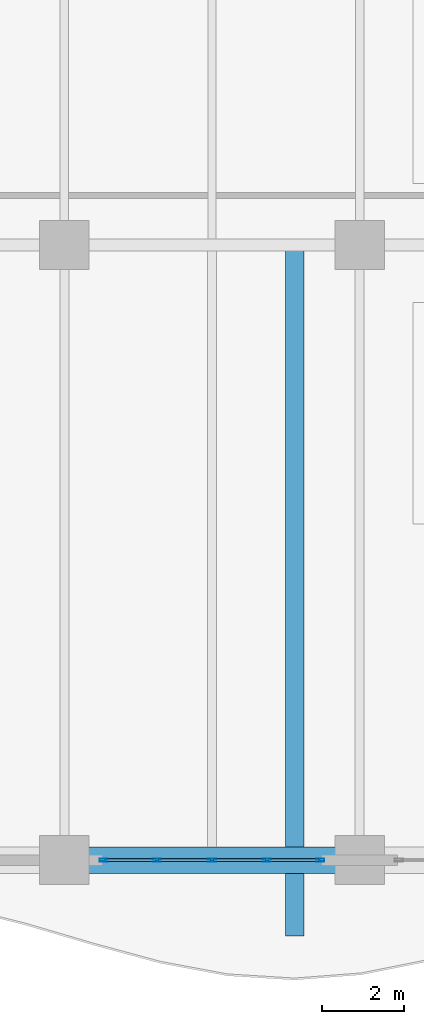
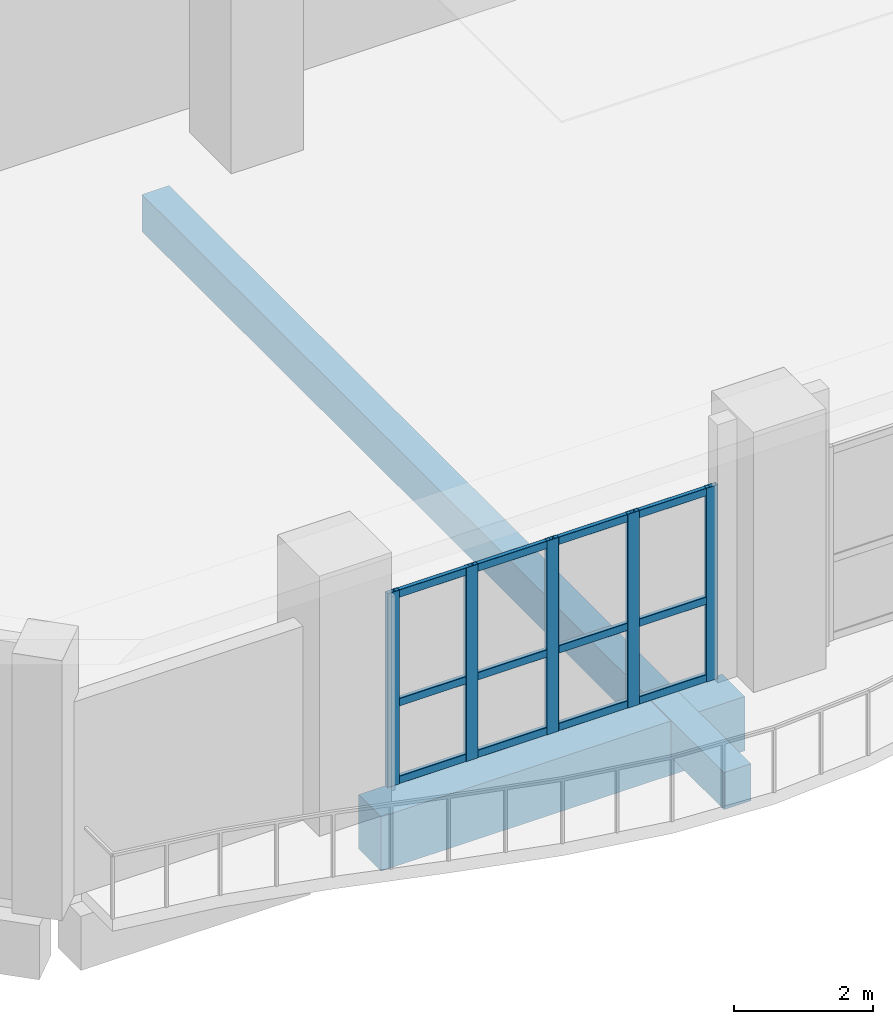
# One storey, part 2 of 37: 17 members, 2 beams, 1 element without a shape of its own.
"""IFC4 building model written with IfcOpenShell, lengths in metres."""

from ifc_helpers import new_model, si_unit, direction, frame, origin, origin_2d, place, context, subcontext, project, spatial, rectangle, hollow_rectangle, extrude, material, layer, layer_set, material_profile, profile_set, type_object, element, aggregate, save


model = new_model("IFC4")

# Units and contexts
model_context = context("Model", 3, precision=1e-05, world=origin(), true_north=direction((0.0, 1.0)))
body_context = subcontext(model_context, "Body", "Model", "MODEL_VIEW")
ifc_project = project(units=[si_unit("LENGTHUNIT", "METRE"), si_unit("AREAUNIT", "SQUARE_METRE"), si_unit("VOLUMEUNIT", "CUBIC_METRE"), si_unit("PLANEANGLEUNIT", "RADIAN"), si_unit("MASSUNIT", "GRAM", prefix="KILO")], contexts=[model_context])

# Site, building, storey
site_placement = place(None, origin())
site = spatial("IfcSite", under=ifc_project, at=site_placement, CompositionType="ELEMENT")
building_placement = place(site_placement, origin())
building = spatial("IfcBuilding", under=site, at=building_placement, Name="Kaelvorn Grand Hotel", CompositionType="ELEMENT")
storey_placement = place(building_placement, frame((0.0, 0.0, 130.550048828125)))
storey = spatial("IfcBuildingStorey", under=building, at=storey_placement, Name="L31", CompositionType="ELEMENT", Elevation=130.550048828125)

# Beams
ifc_material_1 = material(Name="Concrete C40/50", Category="concrete")
ifc_material_profile_1 = material_profile(ifc_material_1, rectangle(XDim=0.449951171875, YDim=0.64990234375, at=origin_2d()), Name="RC RIB 450x650")
ifc_profile_set_1 = profile_set([ifc_material_profile_1], Name="Concrete C40/50")
beam_type_1 = type_object("IfcBeamType", Name="BM-RIB-450x650-C40", PredefinedType="SPANDREL", material=ifc_profile_set_1)
beam_1_placement = place(storey_placement, frame((14.61328125, -1.85009765625, -0.545166015625), z_axis=(0.0, 1.0, 0.0), x_axis=(-1.0, 0.0, 0.0)))
element("IfcBeam", 1, at=beam_1_placement, inside=storey, type_object=beam_type_1, Name="L31 Cantilevered Balcony Back-Span Rib RB1-1", PredefinedType="SPANDREL", context=body_context, shape_type="SweptSolid", body=[
    extrude(rectangle(XDim=0.449951171875, YDim=0.64990234375, at=origin_2d()), origin(), (0.0, 0.0, 1.0), 16.718994140625),
])
ifc_material_2 = material(Name="Concrete C60/75", Category="concrete")
ifc_material_profile_2 = material_profile(ifc_material_2, rectangle(XDim=0.64990234375, YDim=0.949951171875, at=origin_2d()), Name="RC SPANDREL 650x950")
ifc_profile_set_2 = profile_set([ifc_material_profile_2], Name="Concrete C60/75")
beam_type_2 = type_object("IfcBeamType", Name="BM-SP-650x950-C60", PredefinedType="SPANDREL", material=ifc_profile_set_2)
beam_2_placement = place(storey_placement, frame((9.5849609375, 0.0, -0.715087890625), z_axis=(1.0, 0.0, 0.0), x_axis=(0.0, 1.0, 0.0)))
element("IfcBeam", 2, at=beam_2_placement, inside=storey, type_object=beam_type_2, Name="L31 South Perimeter Spandrel 02", PredefinedType="SPANDREL", context=body_context, shape_type="SweptSolid", body=[
    extrude(rectangle(XDim=0.64990234375, YDim=0.949951171875, at=origin_2d()), origin(), (0.0, 0.0, 1.0), 6.030029296875),
])

# Curtain wall, members
ifc_material_3 = material(Name="Anodised Aluminium", Category="aluminium")
ifc_layer = layer(ifc_material_3, 0.199951171875)
ifc_layer_set = layer_set([ifc_layer], Name="Anodised Aluminium")
curtain_wall_type = type_object("IfcCurtainWallType", Name="CW-SYS3", PredefinedType="NOTDEFINED", material=ifc_layer_set)
curtain_wall_placement = place(storey_placement, origin())
curtain_wall = element("IfcCurtainWall", 3, at=curtain_wall_placement, inside=storey, type_object=curtain_wall_type, Name="L31 Unitised Curtain Wall CW3 (CW-L31-SB1-01)", PredefinedType="NOTDEFINED")
ifc_material_profile_3 = material_profile(ifc_material_3, hollow_rectangle(XDim=0.074951171875, YDim=0.199951171875, WallThickness=0.00390625, InnerFilletRadius=0.00390625, OuterFilletRadius=0.008056640625, at=origin_2d()), Name="ALU MULL 75x200")
ifc_profile_set_3 = profile_set([ifc_material_profile_3], Name="Anodised Aluminium")
member_type_1 = type_object("IfcMemberType", Name="CW-SYS3-MULL", PredefinedType="MULLION", material=ifc_profile_set_3)
member_1_placement = place(storey_placement, frame((9.95751953125, 0.0, 0.0), z_axis=(0.0, 0.0, 1.0), x_axis=(0.0, 1.0, 0.0)))
member_1 = element("IfcMember", 4, at=member_1_placement, type_object=member_type_1, Name="CW3 mullion 1", PredefinedType="MULLION", context=body_context, shape_type="SweptSolid", body=[
    extrude(hollow_rectangle(XDim=0.074951171875, YDim=0.199951171875, WallThickness=0.00390625, InnerFilletRadius=0.00390625, OuterFilletRadius=0.008056640625, at=origin_2d()), origin(), (0.0, 0.0, 1.0), 3.39990234375),
])
member_2_placement = place(storey_placement, frame((11.260009765625, 0.0, 0.0), z_axis=(0.0, 0.0, 1.0), x_axis=(0.0, 1.0, 0.0)))
member_2 = element("IfcMember", 5, at=member_2_placement, type_object=member_type_1, Name="CW3 mullion 2", PredefinedType="MULLION", context=body_context, shape_type="SweptSolid", body=[
    extrude(hollow_rectangle(XDim=0.074951171875, YDim=0.199951171875, WallThickness=0.00390625, InnerFilletRadius=0.00390625, OuterFilletRadius=0.008056640625, at=origin_2d()), origin(), (0.0, 0.0, 1.0), 3.39990234375),
])
member_3_placement = place(storey_placement, frame((12.60009765625, 0.0, 0.0), z_axis=(0.0, 0.0, 1.0), x_axis=(0.0, 1.0, 0.0)))
member_3 = element("IfcMember", 6, at=member_3_placement, type_object=member_type_1, Name="CW3 mullion 3", PredefinedType="MULLION", context=body_context, shape_type="SweptSolid", body=[
    extrude(hollow_rectangle(XDim=0.074951171875, YDim=0.199951171875, WallThickness=0.00390625, InnerFilletRadius=0.00390625, OuterFilletRadius=0.008056640625, at=origin_2d()), origin(), (0.0, 0.0, 1.0), 3.39990234375),
])
member_4_placement = place(storey_placement, frame((13.93994140625, 0.0, 0.0), z_axis=(0.0, 0.0, 1.0), x_axis=(0.0, 1.0, 0.0)))
member_4 = element("IfcMember", 7, at=member_4_placement, type_object=member_type_1, Name="CW3 mullion 4", PredefinedType="MULLION", context=body_context, shape_type="SweptSolid", body=[
    extrude(hollow_rectangle(XDim=0.074951171875, YDim=0.199951171875, WallThickness=0.00390625, InnerFilletRadius=0.00390625, OuterFilletRadius=0.008056640625, at=origin_2d()), origin(), (0.0, 0.0, 1.0), 3.39990234375),
])
member_5_placement = place(storey_placement, frame((15.242431640625, 0.0, 0.0), z_axis=(0.0, 0.0, 1.0), x_axis=(0.0, 1.0, 0.0)))
member_5 = element("IfcMember", 8, at=member_5_placement, type_object=member_type_1, Name="CW3 mullion 5", PredefinedType="MULLION", context=body_context, shape_type="SweptSolid", body=[
    extrude(hollow_rectangle(XDim=0.074951171875, YDim=0.199951171875, WallThickness=0.00390625, InnerFilletRadius=0.00390625, OuterFilletRadius=0.008056640625, at=origin_2d()), origin(), (0.0, 0.0, 1.0), 3.39990234375),
])
ifc_material_profile_4 = material_profile(ifc_material_3, hollow_rectangle(XDim=0.070068359375, YDim=0.135009765625, WallThickness=0.00341796875, InnerFilletRadius=0.00341796875, OuterFilletRadius=0.007080078125, at=origin_2d()), Name="ALU TRAN 70x135")
ifc_profile_set_4 = profile_set([ifc_material_profile_4], Name="Anodised Aluminium")
member_type_2 = type_object("IfcMemberType", Name="CW-SYS3-TRAN", PredefinedType="NOTDEFINED", material=ifc_profile_set_4)
member_6_placement = place(storey_placement, frame((9.9951171875, 0.0, 0.0673828125), z_axis=(1.0, 0.0, 0.0), x_axis=(0.0, 1.0, 0.0)))
member_6 = element("IfcMember", 9, at=member_6_placement, type_object=member_type_2, Name="CW3 transom 1.1", ObjectType="TRANSOM", PredefinedType="USERDEFINED", context=body_context, shape_type="SweptSolid", body=[
    extrude(hollow_rectangle(XDim=0.070068359375, YDim=0.135009765625, WallThickness=0.00341796875, InnerFilletRadius=0.00341796875, OuterFilletRadius=0.007080078125, at=origin_2d()), origin(), (0.0, 0.0, 1.0), 1.227294921875),
])
member_7_placement = place(storey_placement, frame((9.9951171875, 0.0, 1.427978515625), z_axis=(1.0, 0.0, 0.0), x_axis=(0.0, 1.0, 0.0)))
member_7 = element("IfcMember", 10, at=member_7_placement, type_object=member_type_2, Name="CW3 transom 1.2", ObjectType="TRANSOM", PredefinedType="USERDEFINED", context=body_context, shape_type="SweptSolid", body=[
    extrude(hollow_rectangle(XDim=0.070068359375, YDim=0.135009765625, WallThickness=0.00341796875, InnerFilletRadius=0.00341796875, OuterFilletRadius=0.007080078125, at=origin_2d()), origin(), (0.0, 0.0, 1.0), 1.227294921875),
])
member_8_placement = place(storey_placement, frame((9.9951171875, 0.0, 3.33251953125), z_axis=(1.0, 0.0, 0.0), x_axis=(0.0, 1.0, 0.0)))
member_8 = element("IfcMember", 11, at=member_8_placement, type_object=member_type_2, Name="CW3 transom 1.3", ObjectType="TRANSOM", PredefinedType="USERDEFINED", context=body_context, shape_type="SweptSolid", body=[
    extrude(hollow_rectangle(XDim=0.070068359375, YDim=0.135009765625, WallThickness=0.00341796875, InnerFilletRadius=0.00341796875, OuterFilletRadius=0.007080078125, at=origin_2d()), origin(), (0.0, 0.0, 1.0), 1.227294921875),
])
member_9_placement = place(storey_placement, frame((11.297607421875, 0.0, 0.0673828125), z_axis=(1.0, 0.0, 0.0), x_axis=(0.0, 1.0, 0.0)))
member_9 = element("IfcMember", 12, at=member_9_placement, type_object=member_type_2, Name="CW3 transom 2.1", ObjectType="TRANSOM", PredefinedType="USERDEFINED", context=body_context, shape_type="SweptSolid", body=[
    extrude(hollow_rectangle(XDim=0.070068359375, YDim=0.135009765625, WallThickness=0.00341796875, InnerFilletRadius=0.00341796875, OuterFilletRadius=0.007080078125, at=origin_2d()), origin(), (0.0, 0.0, 1.0), 1.264892578125),
])
member_10_placement = place(storey_placement, frame((11.297607421875, 0.0, 1.427978515625), z_axis=(1.0, 0.0, 0.0), x_axis=(0.0, 1.0, 0.0)))
member_10 = element("IfcMember", 13, at=member_10_placement, type_object=member_type_2, Name="CW3 transom 2.2", ObjectType="TRANSOM", PredefinedType="USERDEFINED", context=body_context, shape_type="SweptSolid", body=[
    extrude(hollow_rectangle(XDim=0.070068359375, YDim=0.135009765625, WallThickness=0.00341796875, InnerFilletRadius=0.00341796875, OuterFilletRadius=0.007080078125, at=origin_2d()), origin(), (0.0, 0.0, 1.0), 1.264892578125),
])
member_11_placement = place(storey_placement, frame((11.297607421875, 0.0, 3.33251953125), z_axis=(1.0, 0.0, 0.0), x_axis=(0.0, 1.0, 0.0)))
member_11 = element("IfcMember", 14, at=member_11_placement, type_object=member_type_2, Name="CW3 transom 2.3", ObjectType="TRANSOM", PredefinedType="USERDEFINED", context=body_context, shape_type="SweptSolid", body=[
    extrude(hollow_rectangle(XDim=0.070068359375, YDim=0.135009765625, WallThickness=0.00341796875, InnerFilletRadius=0.00341796875, OuterFilletRadius=0.007080078125, at=origin_2d()), origin(), (0.0, 0.0, 1.0), 1.264892578125),
])
member_12_placement = place(storey_placement, frame((12.637451171875, 0.0, 0.0673828125), z_axis=(1.0, 0.0, 0.0), x_axis=(0.0, 1.0, 0.0)))
member_12 = element("IfcMember", 15, at=member_12_placement, type_object=member_type_2, Name="CW3 transom 3.1", ObjectType="TRANSOM", PredefinedType="USERDEFINED", context=body_context, shape_type="SweptSolid", body=[
    extrude(hollow_rectangle(XDim=0.070068359375, YDim=0.135009765625, WallThickness=0.00341796875, InnerFilletRadius=0.00341796875, OuterFilletRadius=0.007080078125, at=origin_2d()), origin(), (0.0, 0.0, 1.0), 1.26513671875),
])
member_13_placement = place(storey_placement, frame((12.637451171875, 0.0, 1.427978515625), z_axis=(1.0, 0.0, 0.0), x_axis=(0.0, 1.0, 0.0)))
member_13 = element("IfcMember", 16, at=member_13_placement, type_object=member_type_2, Name="CW3 transom 3.2", ObjectType="TRANSOM", PredefinedType="USERDEFINED", context=body_context, shape_type="SweptSolid", body=[
    extrude(hollow_rectangle(XDim=0.070068359375, YDim=0.135009765625, WallThickness=0.00341796875, InnerFilletRadius=0.00341796875, OuterFilletRadius=0.007080078125, at=origin_2d()), origin(), (0.0, 0.0, 1.0), 1.26513671875),
])
member_14_placement = place(storey_placement, frame((12.637451171875, 0.0, 3.33251953125), z_axis=(1.0, 0.0, 0.0), x_axis=(0.0, 1.0, 0.0)))
member_14 = element("IfcMember", 17, at=member_14_placement, type_object=member_type_2, Name="CW3 transom 3.3", ObjectType="TRANSOM", PredefinedType="USERDEFINED", context=body_context, shape_type="SweptSolid", body=[
    extrude(hollow_rectangle(XDim=0.070068359375, YDim=0.135009765625, WallThickness=0.00341796875, InnerFilletRadius=0.00341796875, OuterFilletRadius=0.007080078125, at=origin_2d()), origin(), (0.0, 0.0, 1.0), 1.26513671875),
])
member_15_placement = place(storey_placement, frame((13.9775390625, 0.0, 0.0673828125), z_axis=(1.0, 0.0, 0.0), x_axis=(0.0, 1.0, 0.0)))
member_15 = element("IfcMember", 18, at=member_15_placement, type_object=member_type_2, Name="CW3 transom 4.1", ObjectType="TRANSOM", PredefinedType="USERDEFINED", context=body_context, shape_type="SweptSolid", body=[
    extrude(hollow_rectangle(XDim=0.070068359375, YDim=0.135009765625, WallThickness=0.00341796875, InnerFilletRadius=0.00341796875, OuterFilletRadius=0.007080078125, at=origin_2d()), origin(), (0.0, 0.0, 1.0), 1.2275390625),
])
member_16_placement = place(storey_placement, frame((13.9775390625, 0.0, 1.427978515625), z_axis=(1.0, 0.0, 0.0), x_axis=(0.0, 1.0, 0.0)))
member_16 = element("IfcMember", 19, at=member_16_placement, type_object=member_type_2, Name="CW3 transom 4.2", ObjectType="TRANSOM", PredefinedType="USERDEFINED", context=body_context, shape_type="SweptSolid", body=[
    extrude(hollow_rectangle(XDim=0.070068359375, YDim=0.135009765625, WallThickness=0.00341796875, InnerFilletRadius=0.00341796875, OuterFilletRadius=0.007080078125, at=origin_2d()), origin(), (0.0, 0.0, 1.0), 1.2275390625),
])
member_17_placement = place(storey_placement, frame((13.9775390625, 0.0, 3.33251953125), z_axis=(1.0, 0.0, 0.0), x_axis=(0.0, 1.0, 0.0)))
member_17 = element("IfcMember", 20, at=member_17_placement, type_object=member_type_2, Name="CW3 transom 4.3", ObjectType="TRANSOM", PredefinedType="USERDEFINED", context=body_context, shape_type="SweptSolid", body=[
    extrude(hollow_rectangle(XDim=0.070068359375, YDim=0.135009765625, WallThickness=0.00341796875, InnerFilletRadius=0.00341796875, OuterFilletRadius=0.007080078125, at=origin_2d()), origin(), (0.0, 0.0, 1.0), 1.2275390625),
])
aggregate(curtain_wall, [member_1, member_2, member_3, member_4, member_5, member_6, member_7, member_8, member_9, member_10, member_11, member_12, member_13, member_14, member_15, member_16, member_17])

save(model, "model.ifc")
